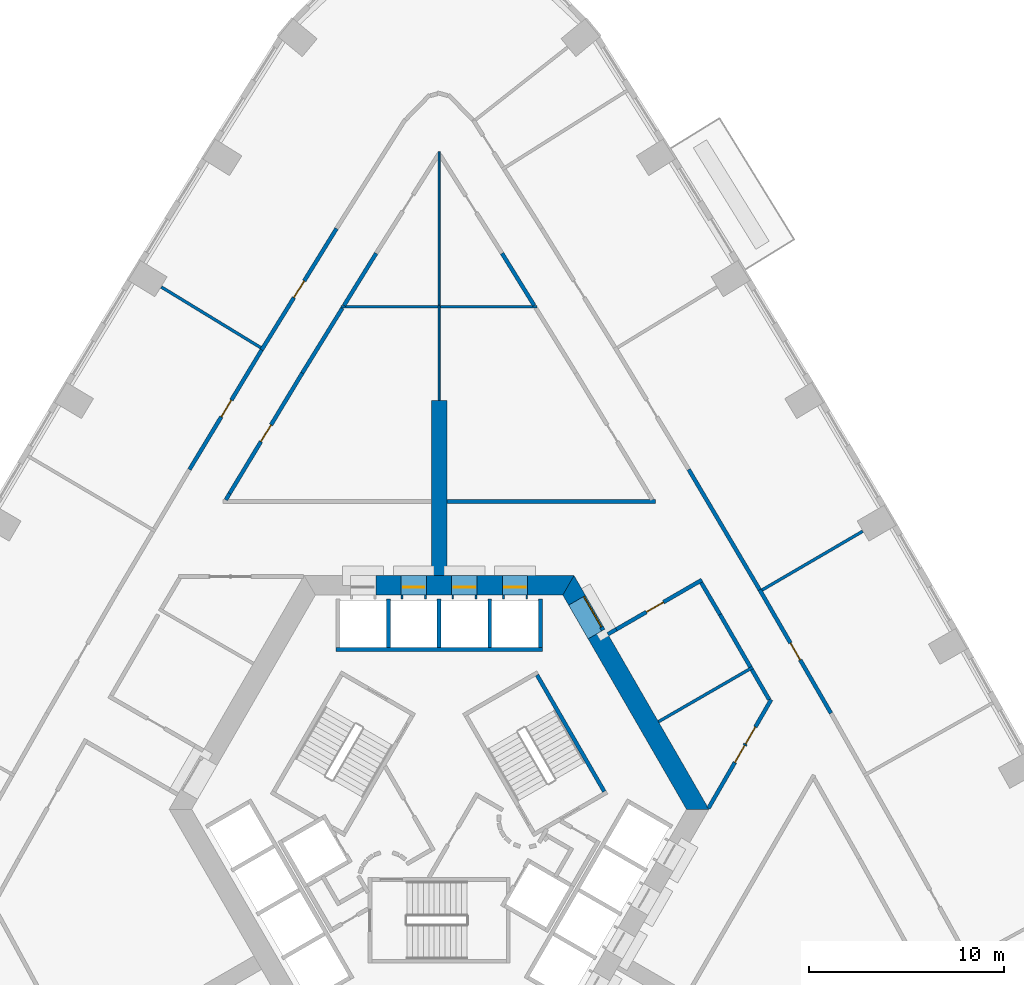
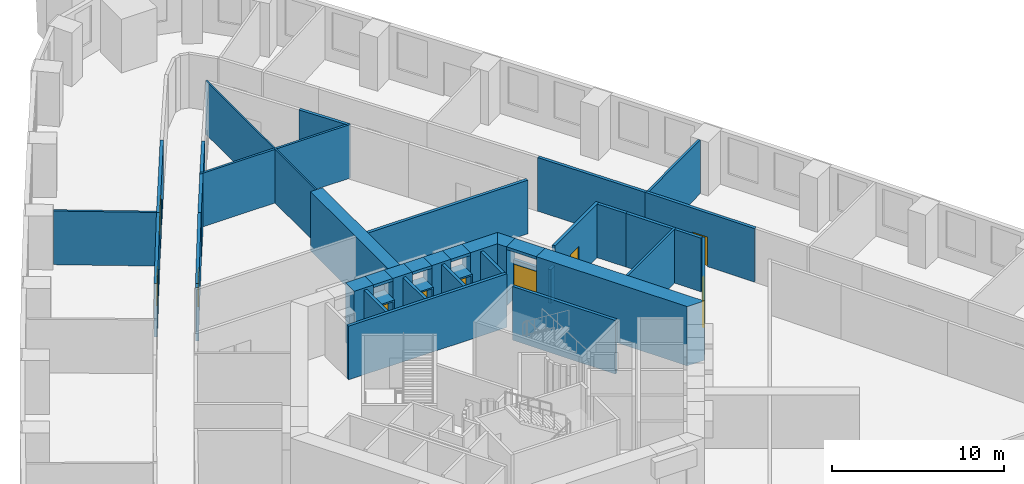
# One storey, part 9 of 16: 44 walls, 11 doors, 11 openings.
"""IFC4 building model written with IfcOpenShell, lengths in metres."""

from ifc_helpers import new_model, si_unit, direction, frame, frame_2d, origin, place, context, subcontext, project, spatial, polyline, rectangle, outline, extrude, material, layer, layer_set, type_object, element, fill, save


model = new_model("IFC4")

# Units and contexts
model_context = context("Model", 3, precision=1e-05, world=origin(), true_north=direction((0.0, 1.0)))
body_context = subcontext(model_context, "Body", "Model", "MODEL_VIEW")
ifc_project = project(units=[si_unit("LENGTHUNIT", "METRE"), si_unit("AREAUNIT", "SQUARE_METRE"), si_unit("VOLUMEUNIT", "CUBIC_METRE"), si_unit("PLANEANGLEUNIT", "RADIAN"), si_unit("MASSUNIT", "GRAM", prefix="KILO")], contexts=[model_context])

# Site, building, storey
site_placement = place(None, origin())
site = spatial("IfcSite", under=ifc_project, at=site_placement, CompositionType="ELEMENT")
building_placement = place(site_placement, origin())
building = spatial("IfcBuilding", under=site, at=building_placement, Name="Entoto Arch Interchange Tower", CompositionType="ELEMENT")
storey_placement = place(building_placement, frame((0.0, 0.0, 47.60009765625)))
storey = spatial("IfcBuildingStorey", under=building, at=storey_placement, Name="L09", CompositionType="ELEMENT", Elevation=47.60009765625)

# Wall
ifc_material_1 = material(Name="Concrete C60/75", Category="concrete")
ifc_layer_1 = layer(ifc_material_1, 0.800048828125)
ifc_layer_set_1 = layer_set([ifc_layer_1], Name="Concrete C60/75")
wall_type_1 = type_object("IfcWallType", Name="Buttress wall 800 C60/75", PredefinedType="SHEAR", material=ifc_layer_set_1)
wall_1_placement = place(storey_placement, frame((0.0, 14.5, -0.400146484375), z_axis=(0.0, 0.0, 1.0), x_axis=(0.0, 1.0, 0.0)))
element("IfcWall", 1, at=wall_1_placement, inside=storey, type_object=wall_type_1, Name="Buttress wall N L09", PredefinedType="SHEAR", context=body_context, shape_type="SweptSolid", body=[
    extrude(rectangle(XDim=9.0, YDim=0.800048828125, at=frame_2d((4.5, 0.0))), origin(), (0.0, 0.0, 1.0), 4.199951171875),
])

# Wall, opening, door
ifc_material_2 = material(Name="Reinforced concrete C40/50", Category="concrete")
ifc_layer_2 = layer(ifc_material_2, 0.199951171875)
ifc_layer_set_2 = layer_set([ifc_layer_2], Name="Reinforced concrete C40/50")
wall_type_2 = type_object("IfcWallType", Name="CORE GAP INFILL WALL", PredefinedType="PARTITIONING", material=ifc_layer_set_2)
wall_2_placement = place(storey_placement, frame((8.429931640625, 11.697998046875, 0.0), z_axis=(0.0, 0.0, 1.0), x_axis=(-0.50002537861, 0.866010750942, 0.0)))
wall_2 = element("IfcWall", 2, at=wall_2_placement, inside=storey, type_object=wall_type_2, Name="wall:L09:gap2", PredefinedType="PARTITIONING", context=body_context, shape_type="SweptSolid", body=[
    extrude(rectangle(XDim=2.0, YDim=0.199951171875, at=frame_2d((1.0, 0.0))), origin(), (0.0, 0.0, 1.0), 2.39990234375),
])
opening_1_placement = place(wall_2_placement, frame((0.18994140625, 0.0, 0.0)))
opening_1 = element("IfcOpeningElement", 3, at=opening_1_placement, cuts=wall_2, Name="Opening L09-D92", PredefinedType="OPENING", context=body_context, shape_type="SweptSolid", body=[
    extrude(rectangle(XDim=1.800048828125, YDim=2.10009765625, at=frame_2d((0.89990234375, 1.050048828125))), frame((0.0, 0.10986328125, 0.0), z_axis=(0.0, -1.0, 0.0), x_axis=(1.0, 0.0, 0.0)), (0.0, 0.0, 1.0), 0.219970703125),
])
ifc_material_3 = material(Name="Fire-rated Steel S235 door and frame", Category="steel")
door_type_1 = type_object("IfcDoorType", Name="DOOR FD-18 1800x2100", OperationType="DOUBLE_DOOR_SINGLE_SWING", PredefinedType="DOOR", material=ifc_material_3)
door_1_placement = place(opening_1_placement, origin())
door_1 = element("IfcDoor", 4, at=door_1_placement, inside=storey, type_object=door_type_1, Name="door:L09:gap2", OperationType="DOUBLE_DOOR_SINGLE_SWING", OverallHeight=2.10009765625, OverallWidth=1.800048828125, PredefinedType="DOOR", context=body_context, shape_type="SweptSolid", body=[
    extrude(rectangle(XDim=1.800048828125, YDim=2.10009765625, at=frame_2d((0.89990234375, 1.050048828125))), frame((0.0, 0.02490234375, 0.0), z_axis=(0.0, -1.0, 0.0), x_axis=(1.0, 0.0, 0.0)), (0.0, 0.0, 1.0), 0.050048828125),
])
fill(opening_1, door_1)

# Walls
ifc_layer_3 = layer(ifc_material_1, 1.0)
ifc_layer_set_3 = layer_set([ifc_layer_3], Name="Concrete C60/75")
wall_type_3 = type_object("IfcWallType", Name="Core wall 1000 C60/75", PredefinedType="SHEAR", material=ifc_layer_set_3)
wall_3_placement = place(storey_placement, frame((0.0, 0.0, -0.400146484375)))
element("IfcWall", 5, at=wall_3_placement, inside=storey, type_object=wall_type_3, Name="Core wall NE L09", PredefinedType="SHEAR", context=body_context, shape_type="SweptSolid", body=[
    extrude(outline(polyline([(8.51708984375, 11.748046875), (7.65087890625, 11.248046875), (12.701904296875, 2.5), (13.85595703125, 2.5), (8.51708984375, 11.748046875)])), origin(), (0.0, 0.0, 1.0), 4.199951171875),
])
wall_4_placement = place(storey_placement, frame((0.0, 0.0, -0.400146484375)))
element("IfcWall", 6, at=wall_4_placement, inside=storey, type_object=wall_type_3, Name="Core wall NE L09", PredefinedType="SHEAR", context=body_context, shape_type="SweptSolid", body=[
    extrude(outline(polyline([(6.65087890625, 12.97998046875), (7.51708984375, 13.47998046875), (6.927978515625, 14.5), (6.35107421875, 13.5), (6.65087890625, 12.97998046875)])), origin(), (0.0, 0.0, 1.0), 4.199951171875),
])
wall_5_placement = place(storey_placement, frame((0.0, 0.0, 3.599853515625)))
element("IfcWall", 7, at=wall_5_placement, inside=storey, type_object=wall_type_3, Name="Core wall lintel NE L09", PredefinedType="SHEAR", context=body_context, shape_type="SweptSolid", body=[
    extrude(outline(polyline([(7.51708984375, 13.47998046875), (6.65087890625, 12.97998046875), (7.65087890625, 11.248046875), (8.51708984375, 11.748046875), (7.51708984375, 13.47998046875)])), origin(), (0.0, 0.0, 1.0), 0.199951171875),
])
wall_6_placement = place(storey_placement, frame((0.0, 0.0, -0.400146484375)))
element("IfcWall", 8, at=wall_6_placement, inside=storey, type_object=wall_type_3, Name="Core wall N L09", PredefinedType="SHEAR", context=body_context, shape_type="SweptSolid", body=[
    extrude(outline(polyline([(4.550048828125, 14.5), (4.550048828125, 13.5), (6.35107421875, 13.5), (6.927978515625, 14.5), (4.550048828125, 14.5)])), origin(), (0.0, 0.0, 1.0), 4.199951171875),
])
wall_7_placement = place(storey_placement, frame((0.0, 0.0, -0.400146484375)))
element("IfcWall", 9, at=wall_7_placement, inside=storey, type_object=wall_type_3, Name="Core wall N L09", PredefinedType="SHEAR", context=body_context, shape_type="SweptSolid", body=[
    extrude(outline(polyline([(1.949951171875, 14.5), (1.949951171875, 13.5), (3.25, 13.5), (3.25, 14.5), (1.949951171875, 14.5)])), origin(), (0.0, 0.0, 1.0), 4.199951171875),
])
wall_8_placement = place(storey_placement, frame((0.0, 0.0, -0.400146484375)))
element("IfcWall", 10, at=wall_8_placement, inside=storey, type_object=wall_type_3, Name="Core wall N L09", PredefinedType="SHEAR", context=body_context, shape_type="SweptSolid", body=[
    extrude(outline(polyline([(-0.64990234375, 14.5), (-0.64990234375, 13.5), (0.64990234375, 13.5), (0.64990234375, 14.5), (-0.64990234375, 14.5)])), origin(), (0.0, 0.0, 1.0), 4.199951171875),
])
wall_9_placement = place(storey_placement, frame((0.0, 0.0, -0.400146484375)))
element("IfcWall", 11, at=wall_9_placement, inside=storey, type_object=wall_type_3, Name="Core wall N L09", PredefinedType="SHEAR", context=body_context, shape_type="SweptSolid", body=[
    extrude(outline(polyline([(-3.25, 14.5), (-3.25, 13.5), (-1.949951171875, 13.5), (-1.949951171875, 14.5), (-3.25, 14.5)])), origin(), (0.0, 0.0, 1.0), 4.199951171875),
])
wall_10_placement = place(storey_placement, frame((0.0, 0.0, 3.599853515625)))
element("IfcWall", 12, at=wall_10_placement, inside=storey, type_object=wall_type_3, Name="Core wall lintel N L09", PredefinedType="SHEAR", context=body_context, shape_type="SweptSolid", body=[
    extrude(outline(polyline([(3.25, 14.5), (3.25, 13.5), (4.550048828125, 13.5), (4.550048828125, 14.5), (3.25, 14.5)])), origin(), (0.0, 0.0, 1.0), 0.199951171875),
])
wall_11_placement = place(storey_placement, frame((0.0, 0.0, 3.599853515625)))
element("IfcWall", 13, at=wall_11_placement, inside=storey, type_object=wall_type_3, Name="Core wall lintel N L09", PredefinedType="SHEAR", context=body_context, shape_type="SweptSolid", body=[
    extrude(outline(polyline([(0.64990234375, 14.5), (0.64990234375, 13.5), (1.949951171875, 13.5), (1.949951171875, 14.5), (0.64990234375, 14.5)])), origin(), (0.0, 0.0, 1.0), 0.199951171875),
])
wall_12_placement = place(storey_placement, frame((0.0, 0.0, 3.599853515625)))
element("IfcWall", 14, at=wall_12_placement, inside=storey, type_object=wall_type_3, Name="Core wall lintel N L09", PredefinedType="SHEAR", context=body_context, shape_type="SweptSolid", body=[
    extrude(outline(polyline([(-1.949951171875, 14.5), (-1.949951171875, 13.5), (-0.64990234375, 13.5), (-0.64990234375, 14.5), (-1.949951171875, 14.5)])), origin(), (0.0, 0.0, 1.0), 0.199951171875),
])

# Wall, opening, door
ifc_material_4 = material(Name="Concrete C40/50", Category="concrete")
ifc_layer_4 = layer(ifc_material_4, 1.199951171875)
ifc_layer_set_4 = layer_set([ifc_layer_4], Name="Concrete C40/50")
wall_type_4 = type_object("IfcWallType", Name="LIFT LANDING INFILL WALL", PredefinedType="STANDARD", material=ifc_layer_set_4)
wall_13_placement = place(storey_placement, frame((4.550048828125, 13.89990234375, 0.0), z_axis=(0.0, 0.0, 1.0), x_axis=(-1.0, 0.0, 0.0)))
wall_13 = element("IfcWall", 15, at=wall_13_placement, inside=storey, type_object=wall_type_4, Name="Lift landing infill wall LR1 L09", PredefinedType="STANDARD", context=body_context, shape_type="SweptSolid", body=[
    extrude(rectangle(XDim=1.300048828125, YDim=1.199951171875, at=frame_2d((0.64990234375, 0.0))), origin(), (0.0, 0.0, 1.0), 2.39990234375),
])
opening_2_placement = place(wall_13_placement, frame((0.10009765625, 0.0, 0.0)))
opening_2 = element("IfcOpeningElement", 16, at=opening_2_placement, cuts=wall_13, Name="Opening LD-LR1-L09", PredefinedType="OPENING", context=body_context, shape_type="SweptSolid", body=[
    extrude(rectangle(XDim=1.10009765625, YDim=2.300048828125, at=frame_2d((0.550048828125, 1.14990234375))), frame((0.0, 0.60986328125, 0.0), z_axis=(0.0, -1.0, 0.0), x_axis=(1.0, 0.0, 0.0)), (0.0, 0.0, 1.0), 1.219970703125),
])
ifc_material_5 = material(Name="Stainless steel 1.4301 panels", Category="steel")
door_type_2 = type_object("IfcDoorType", Name="LIFT LANDING DOOR LD2 1100x2300", OperationType="SLIDING_TO_LEFT", PredefinedType="DOOR", material=ifc_material_5)
door_2_placement = place(opening_2_placement, origin())
door_2 = element("IfcDoor", 17, at=door_2_placement, inside=storey, type_object=door_type_2, Name="Lift landing door LR1 L09", OperationType="SLIDING_TO_LEFT", OverallHeight=2.300048828125, OverallWidth=1.10009765625, PredefinedType="DOOR", context=body_context, shape_type="SweptSolid", body=[
    extrude(rectangle(XDim=1.10009765625, YDim=2.300048828125, at=frame_2d((0.550048828125, 1.14990234375))), frame((0.0, 0.02490234375, 0.0), z_axis=(0.0, -1.0, 0.0), x_axis=(1.0, 0.0, 0.0)), (0.0, 0.0, 1.0), 0.050048828125),
])
fill(opening_2, door_2)

wall_14_placement = place(storey_placement, frame((1.949951171875, 13.89990234375, 0.0), z_axis=(0.0, 0.0, 1.0), x_axis=(-1.0, 0.0, 0.0)))
wall_14 = element("IfcWall", 18, at=wall_14_placement, inside=storey, type_object=wall_type_4, Name="Lift landing infill wall LR2 L09", PredefinedType="STANDARD", context=body_context, shape_type="SweptSolid", body=[
    extrude(rectangle(XDim=1.300048828125, YDim=1.199951171875, at=frame_2d((0.64990234375, 0.0))), origin(), (0.0, 0.0, 1.0), 2.39990234375),
])
opening_3_placement = place(wall_14_placement, frame((0.10009765625, 0.0, 0.0)))
opening_3 = element("IfcOpeningElement", 19, at=opening_3_placement, cuts=wall_14, Name="Opening LD-LR2-L09", PredefinedType="OPENING", context=body_context, shape_type="SweptSolid", body=[
    extrude(rectangle(XDim=1.10009765625, YDim=2.300048828125, at=frame_2d((0.550048828125, 1.14990234375))), frame((0.0, 0.60986328125, 0.0), z_axis=(0.0, -1.0, 0.0), x_axis=(1.0, 0.0, 0.0)), (0.0, 0.0, 1.0), 1.219970703125),
])
door_3_placement = place(opening_3_placement, origin())
door_3 = element("IfcDoor", 20, at=door_3_placement, inside=storey, type_object=door_type_2, Name="Lift landing door LR2 L09", OperationType="SLIDING_TO_LEFT", OverallHeight=2.300048828125, OverallWidth=1.10009765625, PredefinedType="DOOR", context=body_context, shape_type="SweptSolid", body=[
    extrude(rectangle(XDim=1.10009765625, YDim=2.300048828125, at=frame_2d((0.550048828125, 1.14990234375))), frame((0.0, 0.02490234375, 0.0), z_axis=(0.0, -1.0, 0.0), x_axis=(1.0, 0.0, 0.0)), (0.0, 0.0, 1.0), 0.050048828125),
])
fill(opening_3, door_3)

wall_15_placement = place(storey_placement, frame((-0.64990234375, 13.89990234375, 0.0), z_axis=(0.0, 0.0, 1.0), x_axis=(-1.0, 0.0, 0.0)))
wall_15 = element("IfcWall", 21, at=wall_15_placement, inside=storey, type_object=wall_type_4, Name="Lift landing infill wall LR3 L09", PredefinedType="STANDARD", context=body_context, shape_type="SweptSolid", body=[
    extrude(rectangle(XDim=1.300048828125, YDim=1.199951171875, at=frame_2d((0.64990234375, 0.0))), origin(), (0.0, 0.0, 1.0), 2.39990234375),
])
opening_4_placement = place(wall_15_placement, frame((0.10009765625, 0.0, 0.0)))
opening_4 = element("IfcOpeningElement", 22, at=opening_4_placement, cuts=wall_15, Name="Opening LD-LR3-L09", PredefinedType="OPENING", context=body_context, shape_type="SweptSolid", body=[
    extrude(rectangle(XDim=1.10009765625, YDim=2.300048828125, at=frame_2d((0.550048828125, 1.14990234375))), frame((0.0, 0.60986328125, 0.0), z_axis=(0.0, -1.0, 0.0), x_axis=(1.0, 0.0, 0.0)), (0.0, 0.0, 1.0), 1.219970703125),
])
door_4_placement = place(opening_4_placement, origin())
door_4 = element("IfcDoor", 23, at=door_4_placement, inside=storey, type_object=door_type_2, Name="Lift landing door LR3 L09", OperationType="SLIDING_TO_LEFT", OverallHeight=2.300048828125, OverallWidth=1.10009765625, PredefinedType="DOOR", context=body_context, shape_type="SweptSolid", body=[
    extrude(rectangle(XDim=1.10009765625, YDim=2.300048828125, at=frame_2d((0.550048828125, 1.14990234375))), frame((0.0, 0.02490234375, 0.0), z_axis=(0.0, -1.0, 0.0), x_axis=(1.0, 0.0, 0.0)), (0.0, 0.0, 1.0), 0.050048828125),
])
fill(opening_4, door_4)

# Walls
ifc_layer_5 = layer(ifc_material_4, 0.199951171875)
ifc_layer_set_5 = layer_set([ifc_layer_5], Name="Concrete C40/50")
wall_type_5 = type_object("IfcWallType", Name="LIFT SHAFT WALL 200", PredefinedType="STANDARD", material=ifc_layer_set_5)
wall_16_placement = place(storey_placement, frame((5.300048828125, 10.699951171875, 0.0), z_axis=(0.0, 0.0, 1.0), x_axis=(-1.0, 0.0, 0.0)))
element("IfcWall", 24, at=wall_16_placement, inside=storey, type_object=wall_type_5, Name="Shaft wall N3 front", PredefinedType="STANDARD", context=body_context, shape_type="SweptSolid", body=[
    extrude(rectangle(XDim=10.60009765625, YDim=0.199951171875, at=frame_2d((5.300048828125, 0.0))), origin(), (0.0, 0.0, 1.0), 3.7998046875),
])
for number, where, z_axis, x_axis, name in (
    (25, (5.199951171875, 10.800048828125, 0.0), (0.0, 0.0, 1.0), (0.0, 1.0, 0.0), "Shaft wall N3 cross 1"),
    (26, (2.60009765625, 10.800048828125, 0.0), (0.0, 0.0, 1.0), (0.0, 1.0, 0.0), "Shaft wall N3 cross 2"),
    (27, (0.0, 10.800048828125, 0.0), (0.0, 0.0, 1.0), (0.0, 1.0, 0.0), "Shaft wall N3 cross 3"),
    (28, (-2.60009765625, 10.800048828125, 0.0), (0.0, 0.0, 1.0), (0.0, 1.0, 0.0), "Shaft wall N3 cross 4"),
):
    element("IfcWall", number, at=place(storey_placement, frame(where, z_axis=z_axis, x_axis=x_axis)), inside=storey, type_object=wall_type_5, Name=name, PredefinedType="STANDARD", context=body_context, shape_type="SweptSolid", body=[
        extrude(rectangle(XDim=2.5, YDim=0.199951171875, at=frame_2d((1.25, 0.0))), origin(), (0.0, 0.0, 1.0), 3.7998046875),
    ])
ifc_material_6 = material(Name="Gypsum board partition on steel studs", Category="steel")
ifc_layer_6 = layer(ifc_material_6, 0.10009765625)
ifc_layer_set_6 = layer_set([ifc_layer_6], Name="Gypsum board partition on steel studs")
wall_type_6 = type_object("IfcWallType", Name="PARTITION 100", PredefinedType="PARTITIONING", material=ifc_layer_set_6)
wall_17_placement = place(storey_placement, frame((0.0, 23.5, 0.0), z_axis=(0.0, 0.0, 1.0), x_axis=(0.0, 1.0, 0.0)))
element("IfcWall", 29, at=wall_17_placement, inside=storey, type_object=wall_type_6, Name="wall:L09:p119", PredefinedType="PARTITIONING", context=body_context, shape_type="SweptSolid", body=[
    extrude(rectangle(XDim=4.875, YDim=0.10009765625, at=frame_2d((2.4375, 0.0))), origin(), (0.0, 0.0, 1.0), 3.7998046875),
])
wall_18_placement = place(storey_placement, frame((0.0, 28.375, 0.0), z_axis=(0.0, 0.0, 1.0), x_axis=(0.0, 1.0, 0.0)))
element("IfcWall", 30, at=wall_18_placement, inside=storey, type_object=wall_type_6, Name="wall:L09:p122", PredefinedType="PARTITIONING", context=body_context, shape_type="SweptSolid", body=[
    extrude(rectangle(XDim=7.89501953125, YDim=0.10009765625, at=frame_2d((3.947509765625, 0.0))), origin(), (0.0, 0.0, 1.0), 3.7998046875),
])
ifc_layer_7 = layer(ifc_material_6, 0.14990234375)
ifc_layer_set_7 = layer_set([ifc_layer_7], Name="Gypsum board partition on steel studs")
wall_type_7 = type_object("IfcWallType", Name="PARTITION 150", PredefinedType="PARTITIONING", material=ifc_layer_set_7)
wall_19_placement = place(storey_placement, frame((16.10400390625, 9.7900390625, 0.0), z_axis=(0.0, 0.0, 1.0), x_axis=(-0.866023462144, -0.500003363005, 0.0)))
element("IfcWall", 31, at=wall_19_placement, inside=storey, type_object=wall_type_7, Name="wall:L09:p092", PredefinedType="PARTITIONING", context=body_context, shape_type="SweptSolid", body=[
    extrude(rectangle(XDim=5.59228515625, YDim=0.14990234375, at=frame_2d((2.796142578125, 0.0))), origin(), (0.0, 0.0, 1.0), 3.7998046875),
])
for number, where, z_axis, x_axis, name in (
    (32, (0.050048828125, 28.300048828125, 0.0), (0.0, 0.0, 1.0), (1.0, 0.0, 0.0), "wall:L09:p120"),
    (33, (-5.02392578125, 28.300048828125, 0.0), (0.0, 0.0, 1.0), (1.0, 0.0, 0.0), "wall:L09:p121"),
):
    element("IfcWall", number, at=place(storey_placement, frame(where, z_axis=z_axis, x_axis=x_axis)), inside=storey, type_object=wall_type_7, Name=name, PredefinedType="PARTITIONING", context=body_context, shape_type="SweptSolid", body=[
        extrude(rectangle(XDim=4.973876953125, YDim=0.14990234375, at=frame_2d((2.48681640625, 0.0))), origin(), (0.0, 0.0, 1.0), 3.7998046875),
    ])
wall_20_placement = place(storey_placement, frame((16.583984375, 13.757080078125, 0.0), z_axis=(0.0, 0.0, 1.0), x_axis=(0.863565634474, 0.504236447469, 0.0)))
element("IfcWall", 34, at=wall_20_placement, inside=storey, type_object=wall_type_7, Name="wall:L09:p136", PredefinedType="PARTITIONING", context=body_context, shape_type="SweptSolid", body=[
    extrude(rectangle(XDim=5.98095703125, YDim=0.14990234375, at=frame_2d((2.990478515625, 0.0))), origin(), (0.0, 0.0, 1.0), 3.7998046875),
])
wall_21_placement = place(storey_placement, frame((-9.156005859375, 26.200927734375, 0.0), z_axis=(0.0, 0.0, 1.0), x_axis=(-0.853632819511, 0.520875234057, 0.0)))
element("IfcWall", 35, at=wall_21_placement, inside=storey, type_object=wall_type_7, Name="wall:L09:p140", PredefinedType="PARTITIONING", context=body_context, shape_type="SweptSolid", body=[
    extrude(rectangle(XDim=5.980224609375, YDim=0.14990234375, at=frame_2d((2.990234375, 0.0))), origin(), (0.0, 0.0, 1.0), 3.7998046875),
])
ifc_layer_8 = layer(ifc_material_6, 0.199951171875)
ifc_layer_set_8 = layer_set([ifc_layer_8], Name="Gypsum board partition on steel studs")
wall_type_8 = type_object("IfcWallType", Name="PARTITION 200", PredefinedType="PARTITIONING", material=ifc_layer_set_8)
wall_22_placement = place(storey_placement, frame((15.97998046875, 9.804931640625, 0.0), z_axis=(0.0, 0.0, 1.0), x_axis=(-0.500150684419, 0.865938388614, 0.0)))
element("IfcWall", 36, at=wall_22_placement, inside=storey, type_object=wall_type_8, Name="wall:L09:p004", PredefinedType="PARTITIONING", context=body_context, shape_type="SweptSolid", body=[
    extrude(rectangle(XDim=3.10888671875, YDim=0.199951171875, at=frame_2d((1.554443359375, 0.0))), origin(), (0.0, 0.0, 1.0), 3.7998046875),
])
wall_23_placement = place(storey_placement, frame((14.425048828125, 12.4970703125, 0.0), z_axis=(0.0, 0.0, 1.0), x_axis=(-0.508111788435, 0.861291129905, 0.0)))
element("IfcWall", 37, at=wall_23_placement, inside=storey, type_object=wall_type_8, Name="wall:L09:p005", PredefinedType="PARTITIONING", context=body_context, shape_type="SweptSolid", body=[
    extrude(rectangle(XDim=1.905029296875, YDim=0.199951171875, at=frame_2d((0.95263671875, 0.0))), origin(), (0.0, 0.0, 1.0), 3.7998046875),
])

# Wall, opening, door
wall_24_placement = place(storey_placement, frame((13.491943359375, 14.27392578125, 0.0), z_axis=(0.0, 0.0, 1.0), x_axis=(-0.866003598361, -0.5000377662, 0.0)))
wall_24 = element("IfcWall", 38, at=wall_24_placement, inside=storey, type_object=wall_type_8, Name="wall:L09:p006", PredefinedType="PARTITIONING", context=body_context, shape_type="SweptSolid", body=[
    extrude(rectangle(XDim=5.0712890625, YDim=0.199951171875, at=frame_2d((2.53564453125, 0.0))), origin(), (0.0, 0.0, 1.0), 3.7998046875),
])
opening_5_placement = place(wall_24_placement, frame((2.285888671875, 0.0, 0.0)))
opening_5 = element("IfcOpeningElement", 39, at=opening_5_placement, cuts=wall_24, Name="Opening L09-D29", PredefinedType="OPENING", context=body_context, shape_type="SweptSolid", body=[
    extrude(rectangle(XDim=1.0, YDim=2.10009765625, at=frame_2d((0.5, 1.050048828125))), frame((0.0, 0.10986328125, 0.0), z_axis=(0.0, -1.0, 0.0), x_axis=(1.0, 0.0, 0.0)), (0.0, 0.0, 1.0), 0.219970703125),
])
ifc_material_7 = material(Name="Timber door leaf in Steel S235 frame", Category="steel")
door_type_3 = type_object("IfcDoorType", Name="DOOR DS-10 1000x2100", OperationType="SINGLE_SWING_LEFT", PredefinedType="DOOR", material=ifc_material_7)
door_5_placement = place(opening_5_placement, origin())
door_5 = element("IfcDoor", 40, at=door_5_placement, inside=storey, type_object=door_type_3, Name="door:L09:29", OperationType="SINGLE_SWING_LEFT", OverallHeight=2.10009765625, OverallWidth=1.0, PredefinedType="DOOR", context=body_context, shape_type="SweptSolid", body=[
    extrude(rectangle(XDim=1.0, YDim=2.10009765625, at=frame_2d((0.5, 1.050048828125))), frame((0.0, 0.02490234375, 0.0), z_axis=(0.0, -1.0, 0.0), x_axis=(1.0, 0.0, 0.0)), (0.0, 0.0, 1.0), 0.050048828125),
])
fill(opening_5, door_5)

# Walls
wall_25_placement = place(storey_placement, frame((16.947998046875, 8.1279296875, 0.0), z_axis=(0.0, 0.0, 1.0), x_axis=(-0.499931460552, 0.866064971437, 0.0)))
element("IfcWall", 41, at=wall_25_placement, inside=storey, type_object=wall_type_8, Name="wall:L09:p007", PredefinedType="PARTITIONING", context=body_context, shape_type="SweptSolid", body=[
    extrude(rectangle(XDim=1.786376953125, YDim=0.199951171875, at=frame_2d((0.89306640625, 0.0))), origin(), (0.0, 0.0, 1.0), 3.7998046875),
])
wall_26_placement = place(storey_placement, frame((-4.962890625, 28.236083984375, 0.0), z_axis=(0.0, 0.0, 1.0), x_axis=(-0.525104448775, -0.851037788748, 0.0)))
element("IfcWall", 42, at=wall_26_placement, inside=storey, type_object=wall_type_8, Name="wall:L09:p011", PredefinedType="PARTITIONING", context=body_context, shape_type="SweptSolid", body=[
    extrude(rectangle(XDim=3.92138671875, YDim=0.199951171875, at=frame_2d((1.960693359375, 0.0))), origin(), (0.0, 0.0, 1.0), 3.7998046875),
])

# Wall, opening, door
wall_27_placement = place(storey_placement, frame((-7.02197265625, 24.89892578125, 0.0), z_axis=(0.0, 0.0, 1.0), x_axis=(-0.516755973305, -0.856132737403, 0.0)))
wall_27 = element("IfcWall", 43, at=wall_27_placement, inside=storey, type_object=wall_type_8, Name="wall:L09:p012", PredefinedType="PARTITIONING", context=body_context, shape_type="SweptSolid", body=[
    extrude(rectangle(XDim=7.221923828125, YDim=0.199951171875, at=frame_2d((3.61083984375, 0.0))), origin(), (0.0, 0.0, 1.0), 3.7998046875),
])
opening_6_placement = place(wall_27_placement, frame((3.111083984375, 0.0, 0.0)))
opening_6 = element("IfcOpeningElement", 44, at=opening_6_placement, cuts=wall_27, Name="Opening L09-D18", PredefinedType="OPENING", context=body_context, shape_type="SweptSolid", body=[
    extrude(rectangle(XDim=1.0, YDim=2.10009765625, at=frame_2d((0.5, 1.050048828125))), frame((0.0, 0.10986328125, 0.0), z_axis=(0.0, -1.0, 0.0), x_axis=(1.0, 0.0, 0.0)), (0.0, 0.0, 1.0), 0.219970703125),
])
door_6_placement = place(opening_6_placement, origin())
door_6 = element("IfcDoor", 45, at=door_6_placement, inside=storey, type_object=door_type_3, Name="door:L09:18", OperationType="SINGLE_SWING_LEFT", OverallHeight=2.10009765625, OverallWidth=1.0, PredefinedType="DOOR", context=body_context, shape_type="SweptSolid", body=[
    extrude(rectangle(XDim=1.0, YDim=2.10009765625, at=frame_2d((0.5, 1.050048828125))), frame((0.0, 0.02490234375, 0.0), z_axis=(0.0, -1.0, 0.0), x_axis=(1.0, 0.0, 0.0)), (0.0, 0.0, 1.0), 0.050048828125),
])
fill(opening_6, door_6)

# Walls
wall_28_placement = place(storey_placement, frame((-10.75390625, 18.716064453125, 0.0), z_axis=(0.0, 0.0, 1.0), x_axis=(-0.506880801681, -0.862016155815, 0.0)))
element("IfcWall", 46, at=wall_28_placement, inside=storey, type_object=wall_type_8, Name="wall:L09:p013", PredefinedType="PARTITIONING", context=body_context, shape_type="SweptSolid", body=[
    extrude(rectangle(XDim=0.3828125, YDim=0.199951171875, at=frame_2d((0.19140625, 0.0))), origin(), (0.0, 0.0, 1.0), 3.7998046875),
])
for number, where, z_axis, x_axis, name in (
    (47, (4.885009765625, 28.364013671875, 0.0), (0.0, 0.0, 1.0), (-0.525078663571, 0.851053698107, 0.0), "wall:L09:p014"),
    (48, (-3.23095703125, 31.044921875, 0.0), (0.0, 0.0, 1.0), (-0.525078663571, -0.851053698107, 0.0), "wall:L09:p017"),
):
    element("IfcWall", number, at=place(storey_placement, frame(where, z_axis=z_axis, x_axis=x_axis)), inside=storey, type_object=wall_type_8, Name=name, PredefinedType="PARTITIONING", context=body_context, shape_type="SweptSolid", body=[
        extrude(rectangle(XDim=3.150146484375, YDim=0.199951171875, at=frame_2d((1.5751953125, 0.0))), origin(), (0.0, 0.0, 1.0), 3.7998046875),
    ])

# Wall, opening, door
wall_29_placement = place(storey_placement, frame((16.4599609375, 13.77197265625, 0.0), z_axis=(0.0, 0.0, 1.0), x_axis=(0.500099745063, -0.865967808286, 0.0)))
wall_29 = element("IfcWall", 49, at=wall_29_placement, inside=storey, type_object=wall_type_8, Name="wall:L09:p049", PredefinedType="PARTITIONING", context=body_context, shape_type="SweptSolid", body=[
    extrude(rectangle(XDim=7.31884765625, YDim=0.199951171875, at=frame_2d((3.659423828125, 0.0))), origin(), (0.0, 0.0, 1.0), 3.7998046875),
])
opening_7_placement = place(wall_29_placement, frame((3.158935546875, 0.0, 0.0)))
opening_7 = element("IfcOpeningElement", 50, at=opening_7_placement, cuts=wall_29, Name="Opening L09-D05", PredefinedType="OPENING", context=body_context, shape_type="SweptSolid", body=[
    extrude(rectangle(XDim=1.0, YDim=2.10009765625, at=frame_2d((0.5, 1.050048828125))), frame((0.0, 0.10986328125, 0.0), z_axis=(0.0, -1.0, 0.0), x_axis=(1.0, 0.0, 0.0)), (0.0, 0.0, 1.0), 0.219970703125),
])
door_7_placement = place(opening_7_placement, origin())
door_7 = element("IfcDoor", 51, at=door_7_placement, inside=storey, type_object=door_type_3, Name="door:L09:05", OperationType="SINGLE_SWING_LEFT", OverallHeight=2.10009765625, OverallWidth=1.0, PredefinedType="DOOR", context=body_context, shape_type="SweptSolid", body=[
    extrude(rectangle(XDim=1.0, YDim=2.10009765625, at=frame_2d((0.5, 1.050048828125))), frame((0.0, 0.02490234375, 0.0), z_axis=(0.0, -1.0, 0.0), x_axis=(1.0, 0.0, 0.0)), (0.0, 0.0, 1.0), 0.050048828125),
])
fill(opening_7, door_7)

# Wall
wall_30_placement = place(storey_placement, frame((12.81494140625, 19.946044921875, 0.0), z_axis=(0.0, 0.0, 1.0), x_axis=(0.508287536166, -0.861187424768, 0.0)))
element("IfcWall", 52, at=wall_30_placement, inside=storey, type_object=wall_type_8, Name="wall:L09:p052", PredefinedType="PARTITIONING", context=body_context, shape_type="SweptSolid", body=[
    extrude(rectangle(XDim=7.169189453125, YDim=0.199951171875, at=frame_2d((3.58447265625, 0.0))), origin(), (0.0, 0.0, 1.0), 3.7998046875),
])

# Wall, opening, door
wall_31_placement = place(storey_placement, frame((-9.110107421875, 26.0849609375, 0.0), z_axis=(0.0, 0.0, 1.0), x_axis=(0.525007100846, 0.85109784635, 0.0)))
wall_31 = element("IfcWall", 53, at=wall_31_placement, inside=storey, type_object=wall_type_8, Name="wall:L09:p056", PredefinedType="PARTITIONING", context=body_context, shape_type="SweptSolid", body=[
    extrude(rectangle(XDim=7.31982421875, YDim=0.199951171875, at=frame_2d((3.659912109375, 0.0))), origin(), (0.0, 0.0, 1.0), 3.7998046875),
])
opening_8_placement = place(wall_31_placement, frame((3.159912109375, 0.0, 0.0)))
opening_8 = element("IfcOpeningElement", 54, at=opening_8_placement, cuts=wall_31, Name="Opening L09-D09", PredefinedType="OPENING", context=body_context, shape_type="SweptSolid", body=[
    extrude(rectangle(XDim=1.0, YDim=2.10009765625, at=frame_2d((0.5, 1.050048828125))), frame((0.0, 0.10986328125, 0.0), z_axis=(0.0, -1.0, 0.0), x_axis=(1.0, 0.0, 0.0)), (0.0, 0.0, 1.0), 0.219970703125),
])
door_8_placement = place(opening_8_placement, origin())
door_8 = element("IfcDoor", 55, at=door_8_placement, inside=storey, type_object=door_type_3, Name="door:L09:09", OperationType="SINGLE_SWING_RIGHT", OverallHeight=2.10009765625, OverallWidth=1.0, PredefinedType="DOOR", context=body_context, shape_type="SweptSolid", body=[
    extrude(rectangle(XDim=1.0, YDim=2.10009765625, at=frame_2d((0.5, 1.050048828125))), frame((0.0, 0.02490234375, 0.0), z_axis=(0.0, -1.0, 0.0), x_axis=(1.0, 0.0, 0.0)), (0.0, 0.0, 1.0), 0.050048828125),
])
fill(opening_8, door_8)

wall_32_placement = place(storey_placement, frame((-12.81494140625, 19.946044921875, 0.0), z_axis=(0.0, 0.0, 1.0), x_axis=(0.516822021522, 0.856092867667, 0.0)))
wall_32 = element("IfcWall", 56, at=wall_32_placement, inside=storey, type_object=wall_type_8, Name="wall:L09:p063", PredefinedType="PARTITIONING", context=body_context, shape_type="SweptSolid", body=[
    extrude(rectangle(XDim=7.1708984375, YDim=0.199951171875, at=frame_2d((3.58544921875, 0.0))), origin(), (0.0, 0.0, 1.0), 3.7998046875),
])
opening_9_placement = place(wall_32_placement, frame((3.159912109375, 0.0, 0.0)))
opening_9 = element("IfcOpeningElement", 57, at=opening_9_placement, cuts=wall_32, Name="Opening L09-D10", PredefinedType="OPENING", context=body_context, shape_type="SweptSolid", body=[
    extrude(rectangle(XDim=1.0, YDim=2.10009765625, at=frame_2d((0.5, 1.050048828125))), frame((0.0, 0.10986328125, 0.0), z_axis=(0.0, -1.0, 0.0), x_axis=(1.0, 0.0, 0.0)), (0.0, 0.0, 1.0), 0.219970703125),
])
door_9_placement = place(opening_9_placement, origin())
door_9 = element("IfcDoor", 58, at=door_9_placement, inside=storey, type_object=door_type_3, Name="door:L09:10", OperationType="SINGLE_SWING_LEFT", OverallHeight=2.10009765625, OverallWidth=1.0, PredefinedType="DOOR", context=body_context, shape_type="SweptSolid", body=[
    extrude(rectangle(XDim=1.0, YDim=2.10009765625, at=frame_2d((0.5, 1.050048828125))), frame((0.0, 0.02490234375, 0.0), z_axis=(0.0, -1.0, 0.0), x_axis=(1.0, 0.0, 0.0)), (0.0, 0.0, 1.0), 0.050048828125),
])
fill(opening_9, door_9)

# Wall, openings, doors
wall_33_placement = place(storey_placement, frame((13.826904296875, 2.550048828125, 0.0), z_axis=(0.0, 0.0, 1.0), x_axis=(0.500093193185, 0.865971591988, 0.0)))
wall_33 = element("IfcWall", 59, at=wall_33_placement, inside=storey, type_object=wall_type_8, Name="wall:L09:p093", PredefinedType="PARTITIONING", context=body_context, shape_type="SweptSolid", body=[
    extrude(rectangle(XDim=6.441162109375, YDim=0.199951171875, at=frame_2d((3.220703125, 0.0))), origin(), (0.0, 0.0, 1.0), 3.7998046875),
])
opening_10_placement = place(wall_33_placement, frame((2.720947265625, 0.0, 0.0)))
opening_10 = element("IfcOpeningElement", 60, at=opening_10_placement, cuts=wall_33, Name="Opening L09-D30", PredefinedType="OPENING", context=body_context, shape_type="SweptSolid", body=[
    extrude(rectangle(XDim=1.0, YDim=2.10009765625, at=frame_2d((0.5, 1.050048828125))), frame((0.0, 0.10986328125, 0.0), z_axis=(0.0, -1.0, 0.0), x_axis=(1.0, 0.0, 0.0)), (0.0, 0.0, 1.0), 0.219970703125),
])
opening_11_placement = place(wall_33_placement, frame((3.821044921875, 0.0, 0.0)))
opening_11 = element("IfcOpeningElement", 61, at=opening_11_placement, cuts=wall_33, Name="Opening L09-D36", PredefinedType="OPENING", context=body_context, shape_type="SweptSolid", body=[
    extrude(rectangle(XDim=1.0, YDim=2.10009765625, at=frame_2d((0.5, 1.050048828125))), frame((0.0, 0.10986328125, 0.0), z_axis=(0.0, -1.0, 0.0), x_axis=(1.0, 0.0, 0.0)), (0.0, 0.0, 1.0), 0.219970703125),
])
door_10_placement = place(opening_10_placement, origin())
door_10 = element("IfcDoor", 62, at=door_10_placement, inside=storey, type_object=door_type_3, Name="door:L09:30", OperationType="SINGLE_SWING_LEFT", OverallHeight=2.10009765625, OverallWidth=1.0, PredefinedType="DOOR", context=body_context, shape_type="SweptSolid", body=[
    extrude(rectangle(XDim=1.0, YDim=2.10009765625, at=frame_2d((0.5, 1.050048828125))), frame((0.0, 0.02490234375, 0.0), z_axis=(0.0, -1.0, 0.0), x_axis=(1.0, 0.0, 0.0)), (0.0, 0.0, 1.0), 0.050048828125),
])
fill(opening_10, door_10)
door_11_placement = place(opening_11_placement, origin())
door_11 = element("IfcDoor", 63, at=door_11_placement, inside=storey, type_object=door_type_3, Name="door:L09:36", OperationType="SINGLE_SWING_RIGHT", OverallHeight=2.10009765625, OverallWidth=1.0, PredefinedType="DOOR", context=body_context, shape_type="SweptSolid", body=[
    extrude(rectangle(XDim=1.0, YDim=2.10009765625, at=frame_2d((0.5, 1.050048828125))), frame((0.0, 0.02490234375, 0.0), z_axis=(0.0, -1.0, 0.0), x_axis=(1.0, 0.0, 0.0)), (0.0, 0.0, 1.0), 0.050048828125),
])
fill(opening_11, door_11)

# Walls
wall_34_placement = place(storey_placement, frame((0.39990234375, 18.300048828125, 0.0), z_axis=(0.0, 0.0, 1.0), x_axis=(1.0, 0.0, 0.0)))
element("IfcWall", 64, at=wall_34_placement, inside=storey, type_object=wall_type_8, Name="wall:L09:p116", PredefinedType="PARTITIONING", context=body_context, shape_type="SweptSolid", body=[
    extrude(rectangle(XDim=10.69921875, YDim=0.199951171875, at=frame_2d((5.349609375, 0.0))), origin(), (0.0, 0.0, 1.0), 3.7998046875),
])
wall_35_placement = place(storey_placement, frame((9.10009765625, 11.738037109375, 0.0), z_axis=(0.0, 0.0, 1.0), x_axis=(-0.866071776036, -0.499919672301, 0.0)))
element("IfcWall", 65, at=wall_35_placement, inside=storey, type_object=wall_type_8, Name="wall:L09:p006", PredefinedType="PARTITIONING", context=body_context, shape_type="SweptSolid", body=[
    extrude(rectangle(XDim=0.5, YDim=0.199951171875, at=frame_2d((0.25, 0.0))), origin(), (0.0, 0.0, 1.0), 2.39990234375),
])
ifc_layer_9 = layer(ifc_material_4, 0.199951171875)
ifc_layer_set_9 = layer_set([ifc_layer_9], Name="Concrete C40/50")
wall_type_9 = type_object("IfcWallType", Name="STAIR ENCLOSURE WALL 200", PredefinedType="STANDARD", material=ifc_layer_set_9)
wall_36_placement = place(storey_placement, frame((8.47998046875, 3.412109375, 0.0), z_axis=(0.0, 0.0, 1.0), x_axis=(-0.499978703459, 0.866037698999, 0.0)))
element("IfcWall", 66, at=wall_36_placement, inside=storey, type_object=wall_type_9, Name="Stair wall ST-NE back", PredefinedType="STANDARD", context=body_context, shape_type="SweptSolid", body=[
    extrude(rectangle(XDim=6.900146484375, YDim=0.199951171875, at=frame_2d((3.4501953125, 0.0))), origin(), (0.0, 0.0, 1.0), 3.7998046875),
])

save(model, "model.ifc")
